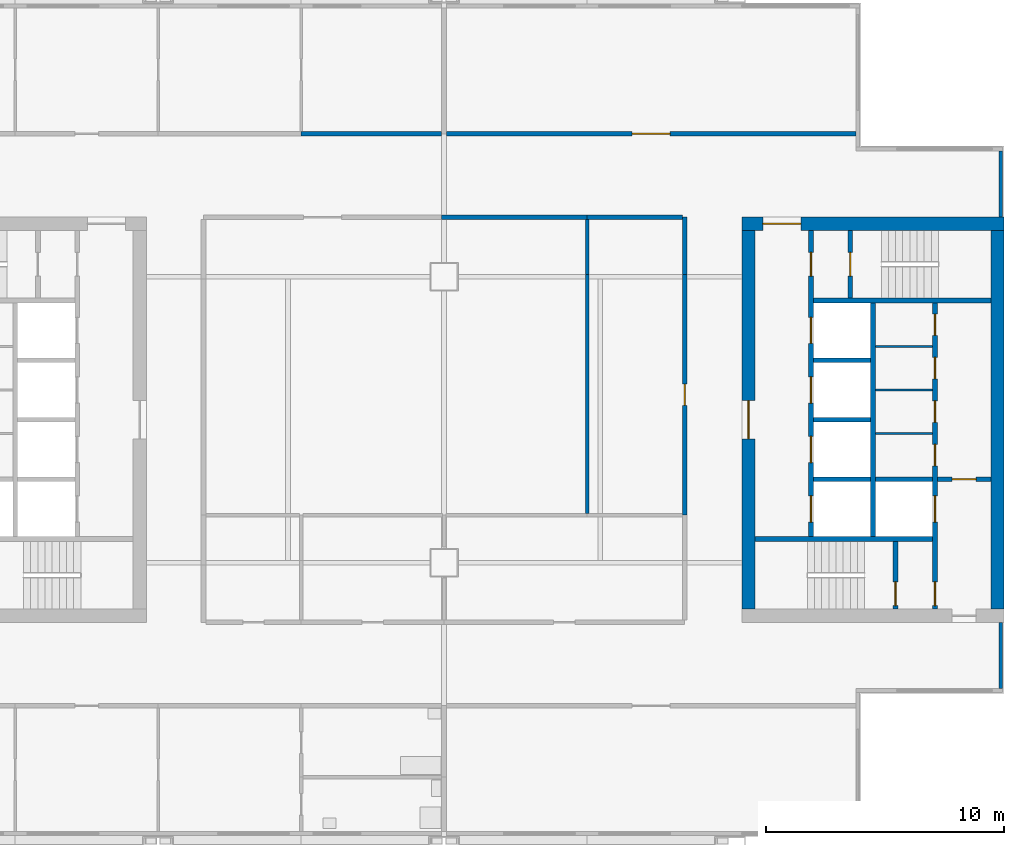
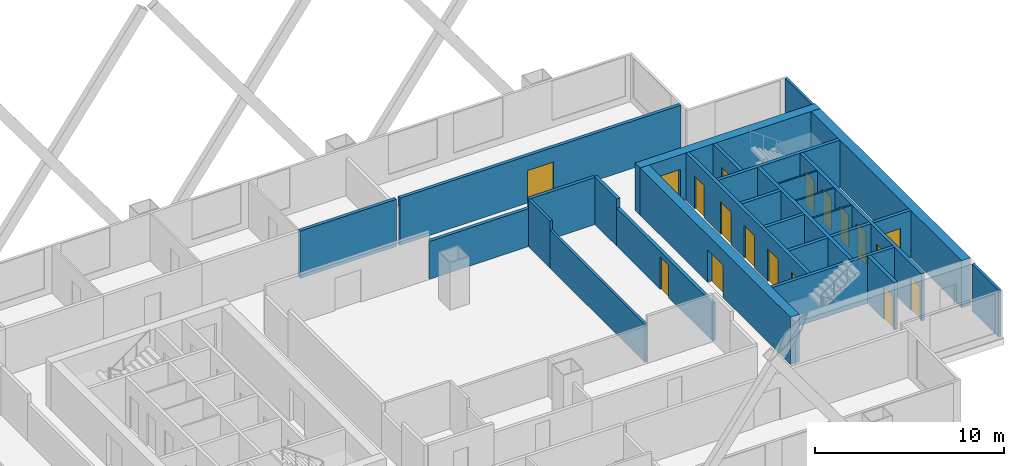
# One storey, part 5 of 8: 28 walls, 18 doors, 18 openings.
"""IFC4 building model written with IfcOpenShell, lengths in metres."""

from ifc_helpers import new_model, si_unit, direction, frame, frame_2d, origin, place, context, subcontext, project, spatial, rectangle, extrude, material, layer, layer_set, type_object, element, fill, save


model = new_model("IFC4")

# Units and contexts
model_context = context("Model", 3, precision=1e-05, world=origin(), true_north=direction((0.0, 1.0)))
body_context = subcontext(model_context, "Body", "Model", "MODEL_VIEW")
ifc_project = project(units=[si_unit("LENGTHUNIT", "METRE"), si_unit("AREAUNIT", "SQUARE_METRE"), si_unit("VOLUMEUNIT", "CUBIC_METRE"), si_unit("PLANEANGLEUNIT", "RADIAN"), si_unit("MASSUNIT", "GRAM", prefix="KILO")], contexts=[model_context])

# Site, building, storey
site_placement = place(None, origin())
site = spatial("IfcSite", under=ifc_project, at=site_placement, CompositionType="ELEMENT")
building_placement = place(site_placement, origin())
building = spatial("IfcBuilding", under=site, at=building_placement, Name="Kitamizu Gate Tower and Museum", CompositionType="ELEMENT")
storey_placement = place(building_placement, frame((0.0, 0.0, 158.25)))
storey = spatial("IfcBuildingStorey", under=building, at=storey_placement, Name="L41", CompositionType="ELEMENT", Elevation=158.25)

# Wall, opening, door
ifc_material_1 = material(Name="Concrete Fc42", Category="concrete")
ifc_layer_1 = layer(ifc_material_1, 0.550048828125)
ifc_layer_set_1 = layer_set([ifc_layer_1], Name="Concrete Fc42")
wall_type_1 = type_object("IfcWallType", Name="Core wall 550", PredefinedType="SHEAR", material=ifc_layer_set_1)
wall_1_placement = place(storey_placement, frame((59.5, 38.22509765625, 0.0), z_axis=(0.0, 0.0, 1.0), x_axis=(-1.0, 0.0, 0.0)))
wall_1 = element("IfcWall", 1, at=wall_1_placement, inside=storey, type_object=wall_type_1, Name="Core wall EN", PredefinedType="SHEAR", context=body_context, shape_type="SweptSolid", body=[
    extrude(rectangle(XDim=11.0, YDim=0.550048828125, at=frame_2d((5.5, 0.0))), origin(), (0.0, 0.0, 1.0), 3.050048828125),
])
opening_1_placement = place(wall_1_placement, frame((8.52490234375, 0.0, 0.0)))
opening_1 = element("IfcOpeningElement", 2, at=opening_1_placement, cuts=wall_1, Name="Opening L41-046", PredefinedType="OPENING", context=body_context, shape_type="SweptSolid", body=[
    extrude(rectangle(XDim=1.60009765625, YDim=2.10009765625, at=frame_2d((0.800048828125, 1.050048828125))), frame((0.0, 0.28515625, 0.0), z_axis=(0.0, -1.0, 0.0), x_axis=(1.0, 0.0, 0.0)), (0.0, 0.0, 1.0), 0.570068359375),
])
ifc_material_2 = material(Name="Timber door set", Category="wood")
door_type_1 = type_object("IfcDoorType", Name="Entrance door 1600", OperationType="DOUBLE_DOOR_SINGLE_SWING", PredefinedType="DOOR", material=ifc_material_2)
door_1_placement = place(opening_1_placement, origin())
door_1 = element("IfcDoor", 3, at=door_1_placement, inside=storey, type_object=door_type_1, Name="Lobby door L41-046", OperationType="DOUBLE_DOOR_SINGLE_SWING", OverallHeight=2.10009765625, OverallWidth=1.60009765625, PredefinedType="DOOR", context=body_context, shape_type="SweptSolid", body=[
    extrude(rectangle(XDim=1.60009765625, YDim=2.10009765625, at=frame_2d((0.800048828125, 1.050048828125))), frame((0.0, 0.02490234375, 0.0), z_axis=(0.0, -1.0, 0.0), x_axis=(1.0, 0.0, 0.0)), (0.0, 0.0, 1.0), 0.050048828125),
])
fill(opening_1, door_1)

# Wall
wall_2_placement = place(storey_placement, frame((59.22509765625, 22.050048828125, 0.0), z_axis=(0.0, 0.0, 1.0), x_axis=(0.0, 1.0, 0.0)))
element("IfcWall", 4, at=wall_2_placement, inside=storey, type_object=wall_type_1, Name="Core wall EOUT", PredefinedType="SHEAR", context=body_context, shape_type="SweptSolid", body=[
    extrude(rectangle(XDim=15.89990234375, YDim=0.550048828125, at=frame_2d((7.949951171875, 0.0))), origin(), (0.0, 0.0, 1.0), 3.050048828125),
])

# Wall, opening, door
wall_3_placement = place(storey_placement, frame((48.77490234375, 22.050048828125, 0.0), z_axis=(0.0, 0.0, 1.0), x_axis=(0.0, 1.0, 0.0)))
wall_3 = element("IfcWall", 5, at=wall_3_placement, inside=storey, type_object=wall_type_1, Name="Core wall EARC", PredefinedType="SHEAR", context=body_context, shape_type="SweptSolid", body=[
    extrude(rectangle(XDim=15.89990234375, YDim=0.550048828125, at=frame_2d((7.949951171875, 0.0))), origin(), (0.0, 0.0, 1.0), 3.050048828125),
])
opening_2_placement = place(wall_3_placement, frame((7.14990234375, 0.0, 0.0)))
opening_2 = element("IfcOpeningElement", 6, at=opening_2_placement, cuts=wall_3, Name="Opening L41-047", PredefinedType="OPENING", context=body_context, shape_type="SweptSolid", body=[
    extrude(rectangle(XDim=1.60009765625, YDim=2.10009765625, at=frame_2d((0.800048828125, 1.050048828125))), frame((0.0, 0.28515625, 0.0), z_axis=(0.0, -1.0, 0.0), x_axis=(1.0, 0.0, 0.0)), (0.0, 0.0, 1.0), 0.570068359375),
])
door_2_placement = place(opening_2_placement, origin())
door_2 = element("IfcDoor", 7, at=door_2_placement, inside=storey, type_object=door_type_1, Name="Lobby door L41-047", OperationType="DOUBLE_DOOR_SINGLE_SWING", OverallHeight=2.10009765625, OverallWidth=1.60009765625, PredefinedType="DOOR", context=body_context, shape_type="SweptSolid", body=[
    extrude(rectangle(XDim=1.60009765625, YDim=2.10009765625, at=frame_2d((0.800048828125, 1.050048828125))), frame((0.0, 0.02490234375, 0.0), z_axis=(0.0, -1.0, 0.0), x_axis=(1.0, 0.0, 0.0)), (0.0, 0.0, 1.0), 0.050048828125),
])
fill(opening_2, door_2)

# Walls
ifc_material_3 = material(Name="Gypsum board on galvanised stud")
ifc_layer_2 = layer(ifc_material_3, 0.10009765625)
ifc_layer_set_2 = layer_set([ifc_layer_2], Name="Gypsum board on galvanised stud")
wall_type_2 = type_object("IfcWallType", Name="Partition 100", PredefinedType="PARTITIONING", material=ifc_layer_set_2)
for number, where, z_axis, x_axis, name in (
    (8, (56.5, 29.425048828125, 0.0), (0.0, 0.0, 1.0), (-1.0, 0.0, 0.0), "Partition EPF1"),
    (9, (56.5, 31.25, 0.0), (0.0, 0.0, 1.0), (-1.0, 0.0, 0.0), "Partition EPF2"),
    (10, (56.5, 33.074951171875, 0.0), (0.0, 0.0, 1.0), (-1.0, 0.0, 0.0), "Partition EPF3"),
):
    element("IfcWall", number, at=place(storey_placement, frame(where, z_axis=z_axis, x_axis=x_axis)), inside=storey, type_object=wall_type_2, Name=name, PredefinedType="PARTITIONING", context=body_context, shape_type="SweptSolid", body=[
        extrude(rectangle(XDim=2.39990234375, YDim=0.10009765625, at=frame_2d((1.199951171875, 0.0))), origin(), (0.0, 0.0, 1.0), 3.050048828125),
    ])
ifc_material_4 = material(Name="Gypsum board on galvanised stud")
ifc_layer_3 = layer(ifc_material_4, 0.14990234375)
ifc_layer_set_3 = layer_set([ifc_layer_3], Name="Gypsum board on galvanised stud")
wall_type_3 = type_object("IfcWallType", Name="Partition 150", PredefinedType="PARTITIONING", material=ifc_layer_set_3)
wall_4_placement = place(storey_placement, frame((42.0, 26.074951171875, 0.0), z_axis=(0.0, 0.0, 1.0), x_axis=(0.0, 1.0, 0.0)))
element("IfcWall", 11, at=wall_4_placement, inside=storey, type_object=wall_type_3, Name="Partition L41-071", PredefinedType="PARTITIONING", context=body_context, shape_type="SweptSolid", body=[
    extrude(rectangle(XDim=10.025146484375, YDim=0.14990234375, at=frame_2d((5.0126953125, 0.0))), origin(), (0.0, 0.0, 1.0), 2.449951171875),
])
wall_5_placement = place(storey_placement, frame((42.0, 36.10009765625, 0.0), z_axis=(0.0, 0.0, 1.0), x_axis=(0.0, 1.0, 0.0)))
element("IfcWall", 12, at=wall_5_placement, inside=storey, type_object=wall_type_3, Name="Partition L41-072", PredefinedType="PARTITIONING", context=body_context, shape_type="SweptSolid", body=[
    extrude(rectangle(XDim=2.2998046875, YDim=0.14990234375, at=frame_2d((1.14990234375, 0.0))), origin(), (0.0, 0.0, 1.0), 3.050048828125),
])
ifc_material_5 = material(Name="Gypsum board on galvanised stud")
ifc_layer_4 = layer(ifc_material_5, 0.199951171875)
ifc_layer_set_4 = layer_set([ifc_layer_4], Name="Gypsum board on galvanised stud")
wall_type_4 = type_object("IfcWallType", Name="Partition 200", PredefinedType="PARTITIONING", material=ifc_layer_set_4)
wall_6_placement = place(storey_placement, frame((30.0, 42.0, 0.0), z_axis=(0.0, 0.0, 1.0), x_axis=(1.0, 0.0, 0.0)))
element("IfcWall", 13, at=wall_6_placement, inside=storey, type_object=wall_type_4, Name="Partition L41-026", PredefinedType="PARTITIONING", context=body_context, shape_type="SweptSolid", body=[
    extrude(rectangle(XDim=5.89990234375, YDim=0.199951171875, at=frame_2d((2.949951171875, 0.0))), origin(), (0.0, 0.0, 1.0), 3.050048828125),
])

# Wall, opening, door
wall_7_placement = place(storey_placement, frame((36.10009765625, 42.0, 0.0), z_axis=(0.0, 0.0, 1.0), x_axis=(1.0, 0.0, 0.0)))
wall_7 = element("IfcWall", 14, at=wall_7_placement, inside=storey, type_object=wall_type_4, Name="Partition L41-048", PredefinedType="PARTITIONING", context=body_context, shape_type="SweptSolid", body=[
    extrude(rectangle(XDim=17.179931640625, YDim=0.199951171875, at=frame_2d((8.58984375, 0.0))), origin(), (0.0, 0.0, 1.0), 3.050048828125),
])
opening_3_placement = place(wall_7_placement, frame((7.7900390625, 0.0, 0.0)))
opening_3 = element("IfcOpeningElement", 15, at=opening_3_placement, cuts=wall_7, Name="Opening L41-021", PredefinedType="OPENING", context=body_context, shape_type="SweptSolid", body=[
    extrude(rectangle(XDim=1.60009765625, YDim=2.10009765625, at=frame_2d((0.800048828125, 1.050048828125))), frame((0.0, 0.10986328125, 0.0), z_axis=(0.0, -1.0, 0.0), x_axis=(1.0, 0.0, 0.0)), (0.0, 0.0, 1.0), 0.219970703125),
])
ifc_material_6 = material(Name="Timber door set", Category="wood")
door_type_2 = type_object("IfcDoorType", Name="Double door 1600", OperationType="DOUBLE_DOOR_SINGLE_SWING", PredefinedType="DOOR", material=ifc_material_6)
door_3_placement = place(opening_3_placement, origin())
door_3 = element("IfcDoor", 16, at=door_3_placement, inside=storey, type_object=door_type_2, Name="Double door L41-021", OperationType="DOUBLE_DOOR_SINGLE_SWING", OverallHeight=2.10009765625, OverallWidth=1.60009765625, PredefinedType="DOOR", context=body_context, shape_type="SweptSolid", body=[
    extrude(rectangle(XDim=1.60009765625, YDim=2.10009765625, at=frame_2d((0.800048828125, 1.050048828125))), frame((0.0, 0.02490234375, 0.0), z_axis=(0.0, -1.0, 0.0), x_axis=(1.0, 0.0, 0.0)), (0.0, 0.0, 1.0), 0.050048828125),
])
fill(opening_3, door_3)

# Wall
wall_8_placement = place(storey_placement, frame((42.0, 38.5, 0.0), z_axis=(0.0, 0.0, 1.0), x_axis=(-1.0, 0.0, 0.0)))
element("IfcWall", 17, at=wall_8_placement, inside=storey, type_object=wall_type_4, Name="Partition L41-056", PredefinedType="PARTITIONING", context=body_context, shape_type="SweptSolid", body=[
    extrude(rectangle(XDim=6.10009765625, YDim=0.199951171875, at=frame_2d((3.050048828125, 0.0))), origin(), (0.0, 0.0, 1.0), 2.449951171875),
])

# Wall, opening, door
wall_9_placement = place(storey_placement, frame((46.10009765625, 26.0, 0.0), z_axis=(0.0, 0.0, 1.0), x_axis=(0.0, 1.0, 0.0)))
wall_9 = element("IfcWall", 18, at=wall_9_placement, inside=storey, type_object=wall_type_4, Name="Partition L41-060", PredefinedType="PARTITIONING", context=body_context, shape_type="SweptSolid", body=[
    extrude(rectangle(XDim=10.10009765625, YDim=0.199951171875, at=frame_2d((5.050048828125, 0.0))), origin(), (0.0, 0.0, 1.0), 2.449951171875),
])
opening_4_placement = place(wall_9_placement, frame((4.60009765625, 0.0, 0.0)))
opening_4 = element("IfcOpeningElement", 19, at=opening_4_placement, cuts=wall_9, Name="Opening L41-026", PredefinedType="OPENING", context=body_context, shape_type="SweptSolid", body=[
    extrude(rectangle(XDim=0.89990234375, YDim=2.10009765625, at=frame_2d((0.449951171875, 1.050048828125))), frame((0.0, 0.10986328125, 0.0), z_axis=(0.0, -1.0, 0.0), x_axis=(1.0, 0.0, 0.0)), (0.0, 0.0, 1.0), 0.219970703125),
])
ifc_material_7 = material(Name="Timber door set", Category="wood")
door_type_3 = type_object("IfcDoorType", Name="Room door 900", OperationType="NOTDEFINED", PredefinedType="DOOR", material=ifc_material_7)
door_4_placement = place(opening_4_placement, origin())
door_4 = element("IfcDoor", 20, at=door_4_placement, inside=storey, type_object=door_type_3, Name="Door L41-026", OperationType="SINGLE_SWING_RIGHT", OverallHeight=2.10009765625, OverallWidth=0.89990234375, PredefinedType="DOOR", context=body_context, shape_type="SweptSolid", body=[
    extrude(rectangle(XDim=0.89990234375, YDim=2.10009765625, at=frame_2d((0.449951171875, 1.050048828125))), frame((0.0, 0.02490234375, 0.0), z_axis=(0.0, -1.0, 0.0), x_axis=(1.0, 0.0, 0.0)), (0.0, 0.0, 1.0), 0.050048828125),
])
fill(opening_4, door_4)

# Walls
wall_10_placement = place(storey_placement, frame((46.10009765625, 36.10009765625, 0.0), z_axis=(0.0, 0.0, 1.0), x_axis=(0.0, 1.0, 0.0)))
element("IfcWall", 21, at=wall_10_placement, inside=storey, type_object=wall_type_4, Name="Partition L41-061", PredefinedType="PARTITIONING", context=body_context, shape_type="SweptSolid", body=[
    extrude(rectangle(XDim=2.39990234375, YDim=0.199951171875, at=frame_2d((1.199951171875, 0.0))), origin(), (0.0, 0.0, 1.0), 3.050048828125),
])
wall_11_placement = place(storey_placement, frame((46.0, 38.5, 0.0), z_axis=(0.0, 0.0, 1.0), x_axis=(-1.0, 0.0, 0.0)))
element("IfcWall", 22, at=wall_11_placement, inside=storey, type_object=wall_type_4, Name="Partition L41-062", PredefinedType="PARTITIONING", context=body_context, shape_type="SweptSolid", body=[
    extrude(rectangle(XDim=4.0, YDim=0.199951171875, at=frame_2d((2.0, 0.0))), origin(), (0.0, 0.0, 1.0), 3.050048828125),
])

# Wall, openings, doors
ifc_material_8 = material(Name="Concrete Fc42", Category="concrete")
ifc_layer_5 = layer(ifc_material_8, 0.199951171875)
ifc_layer_set_5 = layer_set([ifc_layer_5], Name="Concrete Fc42")
wall_type_5 = type_object("IfcWallType", Name="Shaft wall 200", PredefinedType="SOLIDWALL", material=ifc_layer_set_5)
wall_12_placement = place(storey_placement, frame((56.60009765625, 22.050048828125, 0.0), z_axis=(0.0, 0.0, 1.0), x_axis=(0.0, 1.0, 0.0)))
wall_12 = element("IfcWall", 23, at=wall_12_placement, inside=storey, type_object=wall_type_5, Name="Shaft wall EWEST", PredefinedType="SOLIDWALL", context=body_context, shape_type="SweptSolid", body=[
    extrude(rectangle(XDim=12.849853515625, YDim=0.199951171875, at=frame_2d((6.4248046875, 0.0))), origin(), (0.0, 0.0, 1.0), 3.050048828125),
])
opening_5_placement = place(wall_12_placement, frame((3.64990234375, 0.0, 0.0)))
opening_5 = element("IfcOpeningElement", 24, at=opening_5_placement, cuts=wall_12, Name="Opening LD", PredefinedType="OPENING", context=body_context, shape_type="SweptSolid", body=[
    extrude(rectangle(XDim=1.10009765625, YDim=2.10009765625, at=frame_2d((0.550048828125, 1.050048828125))), frame((0.0, 0.10986328125, 0.0), z_axis=(0.0, -1.0, 0.0), x_axis=(1.0, 0.0, 0.0)), (0.0, 0.0, 1.0), 0.219970703125),
])
opening_6_placement = place(wall_12_placement, frame((0.14990234375, 0.0, 0.0)))
opening_6 = element("IfcOpeningElement", 25, at=opening_6_placement, cuts=wall_12, Name="Opening L41-041", PredefinedType="OPENING", context=body_context, shape_type="SweptSolid", body=[
    extrude(rectangle(XDim=1.0, YDim=2.10009765625, at=frame_2d((0.5, 1.050048828125))), frame((0.0, 0.10986328125, 0.0), z_axis=(0.0, -1.0, 0.0), x_axis=(1.0, 0.0, 0.0)), (0.0, 0.0, 1.0), 0.219970703125),
])
opening_7_placement = place(wall_12_placement, frame((6.012451171875, 0.0, 0.0)))
opening_7 = element("IfcOpeningElement", 26, at=opening_7_placement, cuts=wall_12, Name="Opening L41-048", PredefinedType="OPENING", context=body_context, shape_type="SweptSolid", body=[
    extrude(rectangle(XDim=0.89990234375, YDim=2.10009765625, at=frame_2d((0.449951171875, 1.050048828125))), frame((0.0, 0.10986328125, 0.0), z_axis=(0.0, -1.0, 0.0), x_axis=(1.0, 0.0, 0.0)), (0.0, 0.0, 1.0), 0.219970703125),
])
opening_8_placement = place(wall_12_placement, frame((7.83740234375, 0.0, 0.0)))
opening_8 = element("IfcOpeningElement", 27, at=opening_8_placement, cuts=wall_12, Name="Opening L41-049", PredefinedType="OPENING", context=body_context, shape_type="SweptSolid", body=[
    extrude(rectangle(XDim=0.89990234375, YDim=2.10009765625, at=frame_2d((0.449951171875, 1.050048828125))), frame((0.0, 0.10986328125, 0.0), z_axis=(0.0, -1.0, 0.0), x_axis=(1.0, 0.0, 0.0)), (0.0, 0.0, 1.0), 0.219970703125),
])
opening_9_placement = place(wall_12_placement, frame((9.66259765625, 0.0, 0.0)))
opening_9 = element("IfcOpeningElement", 28, at=opening_9_placement, cuts=wall_12, Name="Opening L41-050", PredefinedType="OPENING", context=body_context, shape_type="SweptSolid", body=[
    extrude(rectangle(XDim=0.89990234375, YDim=2.10009765625, at=frame_2d((0.449951171875, 1.050048828125))), frame((0.0, 0.10986328125, 0.0), z_axis=(0.0, -1.0, 0.0), x_axis=(1.0, 0.0, 0.0)), (0.0, 0.0, 1.0), 0.219970703125),
])
opening_10_placement = place(wall_12_placement, frame((11.487548828125, 0.0, 0.0)))
opening_10 = element("IfcOpeningElement", 29, at=opening_10_placement, cuts=wall_12, Name="Opening L41-051", PredefinedType="OPENING", context=body_context, shape_type="SweptSolid", body=[
    extrude(rectangle(XDim=0.89990234375, YDim=2.10009765625, at=frame_2d((0.449951171875, 1.050048828125))), frame((0.0, 0.10986328125, 0.0), z_axis=(0.0, -1.0, 0.0), x_axis=(1.0, 0.0, 0.0)), (0.0, 0.0, 1.0), 0.219970703125),
])
ifc_material_9 = material(Name="Hollow metal door set")
door_type_4 = type_object("IfcDoorType", Name="Fire door 1000", OperationType="NOTDEFINED", PredefinedType="DOOR", material=ifc_material_9)
door_5_placement = place(opening_6_placement, origin())
door_5 = element("IfcDoor", 30, at=door_5_placement, inside=storey, type_object=door_type_4, Name="Stair lobby door L41-041", OperationType="SINGLE_SWING_RIGHT", OverallHeight=2.10009765625, OverallWidth=1.0, PredefinedType="DOOR", context=body_context, shape_type="SweptSolid", body=[
    extrude(rectangle(XDim=1.0, YDim=2.10009765625, at=frame_2d((0.5, 1.050048828125))), frame((0.0, 0.02490234375, 0.0), z_axis=(0.0, -1.0, 0.0), x_axis=(1.0, 0.0, 0.0)), (0.0, 0.0, 1.0), 0.050048828125),
])
fill(opening_6, door_5)
ifc_material_10 = material(Name="Hollow metal door set")
door_type_5 = type_object("IfcDoorType", Name="Landing door 1100", OperationType="SLIDING_TO_LEFT", PredefinedType="DOOR", material=ifc_material_10)
door_6_placement = place(opening_5_placement, origin())
door_6 = element("IfcDoor", 31, at=door_6_placement, inside=storey, type_object=door_type_5, Name="Landing door EFF1", OperationType="SLIDING_TO_LEFT", OverallHeight=2.10009765625, OverallWidth=1.10009765625, PredefinedType="DOOR", context=body_context, shape_type="SweptSolid", body=[
    extrude(rectangle(XDim=1.10009765625, YDim=2.10009765625, at=frame_2d((0.550048828125, 1.050048828125))), frame((0.0, 0.02490234375, 0.0), z_axis=(0.0, -1.0, 0.0), x_axis=(1.0, 0.0, 0.0)), (0.0, 0.0, 1.0), 0.050048828125),
])
fill(opening_5, door_6)
ifc_material_11 = material(Name="Timber door set", Category="wood")
door_type_6 = type_object("IfcDoorType", Name="Service door 900", OperationType="NOTDEFINED", PredefinedType="DOOR", material=ifc_material_11)
door_7_placement = place(opening_7_placement, origin())
door_7 = element("IfcDoor", 32, at=door_7_placement, inside=storey, type_object=door_type_6, Name="Service door L41-048", OperationType="SINGLE_SWING_LEFT", OverallHeight=2.10009765625, OverallWidth=0.89990234375, PredefinedType="DOOR", context=body_context, shape_type="SweptSolid", body=[
    extrude(rectangle(XDim=0.89990234375, YDim=2.10009765625, at=frame_2d((0.449951171875, 1.050048828125))), frame((0.0, 0.02490234375, 0.0), z_axis=(0.0, -1.0, 0.0), x_axis=(1.0, 0.0, 0.0)), (0.0, 0.0, 1.0), 0.050048828125),
])
fill(opening_7, door_7)
door_8_placement = place(opening_8_placement, origin())
door_8 = element("IfcDoor", 33, at=door_8_placement, inside=storey, type_object=door_type_6, Name="Service door L41-049", OperationType="SINGLE_SWING_RIGHT", OverallHeight=2.10009765625, OverallWidth=0.89990234375, PredefinedType="DOOR", context=body_context, shape_type="SweptSolid", body=[
    extrude(rectangle(XDim=0.89990234375, YDim=2.10009765625, at=frame_2d((0.449951171875, 1.050048828125))), frame((0.0, 0.02490234375, 0.0), z_axis=(0.0, -1.0, 0.0), x_axis=(1.0, 0.0, 0.0)), (0.0, 0.0, 1.0), 0.050048828125),
])
fill(opening_8, door_8)
door_9_placement = place(opening_9_placement, origin())
door_9 = element("IfcDoor", 34, at=door_9_placement, inside=storey, type_object=door_type_6, Name="Service door L41-050", OperationType="SINGLE_SWING_LEFT", OverallHeight=2.10009765625, OverallWidth=0.89990234375, PredefinedType="DOOR", context=body_context, shape_type="SweptSolid", body=[
    extrude(rectangle(XDim=0.89990234375, YDim=2.10009765625, at=frame_2d((0.449951171875, 1.050048828125))), frame((0.0, 0.02490234375, 0.0), z_axis=(0.0, -1.0, 0.0), x_axis=(1.0, 0.0, 0.0)), (0.0, 0.0, 1.0), 0.050048828125),
])
fill(opening_9, door_9)
door_10_placement = place(opening_10_placement, origin())
door_10 = element("IfcDoor", 35, at=door_10_placement, inside=storey, type_object=door_type_6, Name="Service door L41-051", OperationType="SINGLE_SWING_RIGHT", OverallHeight=2.10009765625, OverallWidth=0.89990234375, PredefinedType="DOOR", context=body_context, shape_type="SweptSolid", body=[
    extrude(rectangle(XDim=0.89990234375, YDim=2.10009765625, at=frame_2d((0.449951171875, 1.050048828125))), frame((0.0, 0.02490234375, 0.0), z_axis=(0.0, -1.0, 0.0), x_axis=(1.0, 0.0, 0.0)), (0.0, 0.0, 1.0), 0.050048828125),
])
fill(opening_10, door_10)

wall_13_placement = place(storey_placement, frame((51.39990234375, 25.10009765625, 0.0), z_axis=(0.0, 0.0, 1.0), x_axis=(0.0, 1.0, 0.0)))
wall_13 = element("IfcWall", 36, at=wall_13_placement, inside=storey, type_object=wall_type_5, Name="Shaft wall EEAST", PredefinedType="SOLIDWALL", context=body_context, shape_type="SweptSolid", body=[
    extrude(rectangle(XDim=12.849853515625, YDim=0.199951171875, at=frame_2d((6.4248046875, 0.0))), origin(), (0.0, 0.0, 1.0), 3.050048828125),
])
opening_11_placement = place(wall_13_placement, frame((0.60009765625, 0.0, 0.0)))
opening_11 = element("IfcOpeningElement", 37, at=opening_11_placement, cuts=wall_13, Name="Opening LD", PredefinedType="OPENING", context=body_context, shape_type="SweptSolid", body=[
    extrude(rectangle(XDim=1.10009765625, YDim=2.10009765625, at=frame_2d((0.550048828125, 1.050048828125))), frame((0.0, 0.10986328125, 0.0), z_axis=(0.0, -1.0, 0.0), x_axis=(1.0, 0.0, 0.0)), (0.0, 0.0, 1.0), 0.219970703125),
])
opening_12_placement = place(wall_13_placement, frame((3.10009765625, 0.0, 0.0)))
opening_12 = element("IfcOpeningElement", 38, at=opening_12_placement, cuts=wall_13, Name="Opening LD", PredefinedType="OPENING", context=body_context, shape_type="SweptSolid", body=[
    extrude(rectangle(XDim=1.10009765625, YDim=2.10009765625, at=frame_2d((0.550048828125, 1.050048828125))), frame((0.0, 0.10986328125, 0.0), z_axis=(0.0, -1.0, 0.0), x_axis=(1.0, 0.0, 0.0)), (0.0, 0.0, 1.0), 0.219970703125),
])
opening_13_placement = place(wall_13_placement, frame((5.60009765625, 0.0, 0.0)))
opening_13 = element("IfcOpeningElement", 39, at=opening_13_placement, cuts=wall_13, Name="Opening LD", PredefinedType="OPENING", context=body_context, shape_type="SweptSolid", body=[
    extrude(rectangle(XDim=1.10009765625, YDim=2.10009765625, at=frame_2d((0.550048828125, 1.050048828125))), frame((0.0, 0.10986328125, 0.0), z_axis=(0.0, -1.0, 0.0), x_axis=(1.0, 0.0, 0.0)), (0.0, 0.0, 1.0), 0.219970703125),
])
opening_14_placement = place(wall_13_placement, frame((8.10009765625, 0.0, 0.0)))
opening_14 = element("IfcOpeningElement", 40, at=opening_14_placement, cuts=wall_13, Name="Opening LD", PredefinedType="OPENING", context=body_context, shape_type="SweptSolid", body=[
    extrude(rectangle(XDim=1.10009765625, YDim=2.10009765625, at=frame_2d((0.550048828125, 1.050048828125))), frame((0.0, 0.10986328125, 0.0), z_axis=(0.0, -1.0, 0.0), x_axis=(1.0, 0.0, 0.0)), (0.0, 0.0, 1.0), 0.219970703125),
])
opening_15_placement = place(wall_13_placement, frame((10.925048828125, 0.0, 0.0)))
opening_15 = element("IfcOpeningElement", 41, at=opening_15_placement, cuts=wall_13, Name="Opening L41-042", PredefinedType="OPENING", context=body_context, shape_type="SweptSolid", body=[
    extrude(rectangle(XDim=1.0, YDim=2.10009765625, at=frame_2d((0.5, 1.050048828125))), frame((0.0, 0.10986328125, 0.0), z_axis=(0.0, -1.0, 0.0), x_axis=(1.0, 0.0, 0.0)), (0.0, 0.0, 1.0), 0.219970703125),
])
door_11_placement = place(opening_15_placement, frame((1.0, 0.0, 0.0), x_axis=(-1.0, 0.0, 0.0)))
door_11 = element("IfcDoor", 42, at=door_11_placement, inside=storey, type_object=door_type_4, Name="Stair lobby door L41-042", OperationType="SINGLE_SWING_RIGHT", OverallHeight=2.10009765625, OverallWidth=1.0, PredefinedType="DOOR", context=body_context, shape_type="SweptSolid", body=[
    extrude(rectangle(XDim=1.0, YDim=2.10009765625, at=frame_2d((0.5, 1.050048828125))), frame((0.0, 0.02490234375, 0.0), z_axis=(0.0, -1.0, 0.0), x_axis=(1.0, 0.0, 0.0)), (0.0, 0.0, 1.0), 0.050048828125),
])
fill(opening_15, door_11)
door_12_placement = place(opening_11_placement, origin())
door_12 = element("IfcDoor", 43, at=door_12_placement, inside=storey, type_object=door_type_5, Name="Landing door ESV1", OperationType="SLIDING_TO_LEFT", OverallHeight=2.10009765625, OverallWidth=1.10009765625, PredefinedType="DOOR", context=body_context, shape_type="SweptSolid", body=[
    extrude(rectangle(XDim=1.10009765625, YDim=2.10009765625, at=frame_2d((0.550048828125, 1.050048828125))), frame((0.0, 0.02490234375, 0.0), z_axis=(0.0, -1.0, 0.0), x_axis=(1.0, 0.0, 0.0)), (0.0, 0.0, 1.0), 0.050048828125),
])
fill(opening_11, door_12)
door_13_placement = place(opening_12_placement, origin())
door_13 = element("IfcDoor", 44, at=door_13_placement, inside=storey, type_object=door_type_5, Name="Landing door EH1", OperationType="SLIDING_TO_LEFT", OverallHeight=2.10009765625, OverallWidth=1.10009765625, PredefinedType="DOOR", context=body_context, shape_type="SweptSolid", body=[
    extrude(rectangle(XDim=1.10009765625, YDim=2.10009765625, at=frame_2d((0.550048828125, 1.050048828125))), frame((0.0, 0.02490234375, 0.0), z_axis=(0.0, -1.0, 0.0), x_axis=(1.0, 0.0, 0.0)), (0.0, 0.0, 1.0), 0.050048828125),
])
fill(opening_12, door_13)
door_14_placement = place(opening_13_placement, origin())
door_14 = element("IfcDoor", 45, at=door_14_placement, inside=storey, type_object=door_type_5, Name="Landing door EH2", OperationType="SLIDING_TO_LEFT", OverallHeight=2.10009765625, OverallWidth=1.10009765625, PredefinedType="DOOR", context=body_context, shape_type="SweptSolid", body=[
    extrude(rectangle(XDim=1.10009765625, YDim=2.10009765625, at=frame_2d((0.550048828125, 1.050048828125))), frame((0.0, 0.02490234375, 0.0), z_axis=(0.0, -1.0, 0.0), x_axis=(1.0, 0.0, 0.0)), (0.0, 0.0, 1.0), 0.050048828125),
])
fill(opening_13, door_14)
door_15_placement = place(opening_14_placement, origin())
door_15 = element("IfcDoor", 46, at=door_15_placement, inside=storey, type_object=door_type_5, Name="Landing door EH3", OperationType="SLIDING_TO_LEFT", OverallHeight=2.10009765625, OverallWidth=1.10009765625, PredefinedType="DOOR", context=body_context, shape_type="SweptSolid", body=[
    extrude(rectangle(XDim=1.10009765625, YDim=2.10009765625, at=frame_2d((0.550048828125, 1.050048828125))), frame((0.0, 0.02490234375, 0.0), z_axis=(0.0, -1.0, 0.0), x_axis=(1.0, 0.0, 0.0)), (0.0, 0.0, 1.0), 0.050048828125),
])
fill(opening_14, door_15)

# Walls
wall_14_placement = place(storey_placement, frame((54.0, 25.10009765625, 0.0), z_axis=(0.0, 0.0, 1.0), x_axis=(0.0, 1.0, 0.0)))
element("IfcWall", 47, at=wall_14_placement, inside=storey, type_object=wall_type_5, Name="Shaft wall EMID", PredefinedType="SOLIDWALL", context=body_context, shape_type="SweptSolid", body=[
    extrude(rectangle(XDim=9.7998046875, YDim=0.199951171875, at=frame_2d((4.89990234375, 0.0))), origin(), (0.0, 0.0, 1.0), 3.050048828125),
])
for number, where, z_axis, x_axis, name in (
    (48, (56.5, 25.0, 0.0), (0.0, 0.0, 1.0), (-1.0, 0.0, 0.0), "Shaft wall ESB"),
    (49, (58.949951171875, 35.0, 0.0), (0.0, 0.0, 1.0), (-1.0, 0.0, 0.0), "Shaft wall ENB"),
):
    element("IfcWall", number, at=place(storey_placement, frame(where, z_axis=z_axis, x_axis=x_axis)), inside=storey, type_object=wall_type_5, Name=name, PredefinedType="SOLIDWALL", context=body_context, shape_type="SweptSolid", body=[
        extrude(rectangle(XDim=7.449951171875, YDim=0.199951171875, at=frame_2d((3.72509765625, 0.0))), origin(), (0.0, 0.0, 1.0), 3.050048828125),
    ])

# Wall, opening, door
wall_15_placement = place(storey_placement, frame((58.949951171875, 27.5, 0.0), z_axis=(0.0, 0.0, 1.0), x_axis=(-1.0, 0.0, 0.0)))
wall_15 = element("IfcWall", 50, at=wall_15_placement, inside=storey, type_object=wall_type_5, Name="Shaft wall EFFN", PredefinedType="SOLIDWALL", context=body_context, shape_type="SweptSolid", body=[
    extrude(rectangle(XDim=2.25, YDim=0.199951171875, at=frame_2d((1.125, 0.0))), origin(), (0.0, 0.0, 1.0), 3.050048828125),
])
opening_16_placement = place(wall_15_placement, frame((0.625, 0.0, 0.0)))
opening_16 = element("IfcOpeningElement", 51, at=opening_16_placement, cuts=wall_15, Name="Opening L41-044", PredefinedType="OPENING", context=body_context, shape_type="SweptSolid", body=[
    extrude(rectangle(XDim=1.0, YDim=2.10009765625, at=frame_2d((0.5, 1.050048828125))), frame((0.0, 0.10986328125, 0.0), z_axis=(0.0, -1.0, 0.0), x_axis=(1.0, 0.0, 0.0)), (0.0, 0.0, 1.0), 0.219970703125),
])
door_16_placement = place(opening_16_placement, origin())
door_16 = element("IfcDoor", 52, at=door_16_placement, inside=storey, type_object=door_type_4, Name="Fire-fighting lobby door L41-044", OperationType="SINGLE_SWING_LEFT", OverallHeight=2.10009765625, OverallWidth=1.0, PredefinedType="DOOR", context=body_context, shape_type="SweptSolid", body=[
    extrude(rectangle(XDim=1.0, YDim=2.10009765625, at=frame_2d((0.5, 1.050048828125))), frame((0.0, 0.02490234375, 0.0), z_axis=(0.0, -1.0, 0.0), x_axis=(1.0, 0.0, 0.0)), (0.0, 0.0, 1.0), 0.050048828125),
])
fill(opening_16, door_16)

wall_16_placement = place(storey_placement, frame((54.949951171875, 22.050048828125, 0.0), z_axis=(0.0, 0.0, 1.0), x_axis=(0.0, 1.0, 0.0)))
wall_16 = element("IfcWall", 53, at=wall_16_placement, inside=storey, type_object=wall_type_5, Name="Shaft wall ESZ", PredefinedType="SOLIDWALL", context=body_context, shape_type="SweptSolid", body=[
    extrude(rectangle(XDim=2.849853515625, YDim=0.199951171875, at=frame_2d((1.4248046875, 0.0))), origin(), (0.0, 0.0, 1.0), 3.050048828125),
])
opening_17_placement = place(wall_16_placement, frame((0.14990234375, 0.0, 0.0)))
opening_17 = element("IfcOpeningElement", 54, at=opening_17_placement, cuts=wall_16, Name="Opening L41-040", PredefinedType="OPENING", context=body_context, shape_type="SweptSolid", body=[
    extrude(rectangle(XDim=1.0, YDim=2.10009765625, at=frame_2d((0.5, 1.050048828125))), frame((0.0, 0.10986328125, 0.0), z_axis=(0.0, -1.0, 0.0), x_axis=(1.0, 0.0, 0.0)), (0.0, 0.0, 1.0), 0.219970703125),
])
door_17_placement = place(opening_17_placement, origin())
door_17 = element("IfcDoor", 55, at=door_17_placement, inside=storey, type_object=door_type_4, Name="Stair door L41-040", OperationType="SINGLE_SWING_RIGHT", OverallHeight=2.10009765625, OverallWidth=1.0, PredefinedType="DOOR", context=body_context, shape_type="SweptSolid", body=[
    extrude(rectangle(XDim=1.0, YDim=2.10009765625, at=frame_2d((0.5, 1.050048828125))), frame((0.0, 0.02490234375, 0.0), z_axis=(0.0, -1.0, 0.0), x_axis=(1.0, 0.0, 0.0)), (0.0, 0.0, 1.0), 0.050048828125),
])
fill(opening_17, door_17)

wall_17_placement = place(storey_placement, frame((53.050048828125, 35.10009765625, 0.0), z_axis=(0.0, 0.0, 1.0), x_axis=(0.0, 1.0, 0.0)))
wall_17 = element("IfcWall", 56, at=wall_17_placement, inside=storey, type_object=wall_type_5, Name="Shaft wall ENZ", PredefinedType="SOLIDWALL", context=body_context, shape_type="SweptSolid", body=[
    extrude(rectangle(XDim=2.849853515625, YDim=0.199951171875, at=frame_2d((1.4248046875, 0.0))), origin(), (0.0, 0.0, 1.0), 3.050048828125),
])
opening_18_placement = place(wall_17_placement, frame((0.925048828125, 0.0, 0.0)))
opening_18 = element("IfcOpeningElement", 57, at=opening_18_placement, cuts=wall_17, Name="Opening L41-043", PredefinedType="OPENING", context=body_context, shape_type="SweptSolid", body=[
    extrude(rectangle(XDim=1.0, YDim=2.10009765625, at=frame_2d((0.5, 1.050048828125))), frame((0.0, 0.10986328125, 0.0), z_axis=(0.0, -1.0, 0.0), x_axis=(1.0, 0.0, 0.0)), (0.0, 0.0, 1.0), 0.219970703125),
])
door_18_placement = place(opening_18_placement, frame((1.0, 0.0, 0.0), x_axis=(-1.0, 0.0, 0.0)))
door_18 = element("IfcDoor", 58, at=door_18_placement, inside=storey, type_object=door_type_4, Name="Stair door L41-043", OperationType="SINGLE_SWING_LEFT", OverallHeight=2.10009765625, OverallWidth=1.0, PredefinedType="DOOR", context=body_context, shape_type="SweptSolid", body=[
    extrude(rectangle(XDim=1.0, YDim=2.10009765625, at=frame_2d((0.5, 1.050048828125))), frame((0.0, 0.02490234375, 0.0), z_axis=(0.0, -1.0, 0.0), x_axis=(1.0, 0.0, 0.0)), (0.0, 0.0, 1.0), 0.050048828125),
])
fill(opening_18, door_18)

# Walls
for number, where, z_axis, x_axis, name in (
    (59, (56.5, 27.5, 0.0), (0.0, 0.0, 1.0), (-1.0, 0.0, 0.0), "Shaft wall EDVW0"),
    (60, (53.89990234375, 27.5, 0.0), (0.0, 0.0, 1.0), (-1.0, 0.0, 0.0), "Shaft wall EDVE0"),
    (61, (53.89990234375, 30.0, 0.0), (0.0, 0.0, 1.0), (-1.0, 0.0, 0.0), "Shaft wall EDVE1"),
    (62, (53.89990234375, 32.5, 0.0), (0.0, 0.0, 1.0), (-1.0, 0.0, 0.0), "Shaft wall EDVE2"),
):
    element("IfcWall", number, at=place(storey_placement, frame(where, z_axis=z_axis, x_axis=x_axis)), inside=storey, type_object=wall_type_5, Name=name, PredefinedType="SOLIDWALL", context=body_context, shape_type="SweptSolid", body=[
        extrude(rectangle(XDim=2.39990234375, YDim=0.199951171875, at=frame_2d((1.199951171875, 0.0))), origin(), (0.0, 0.0, 1.0), 3.050048828125),
    ])
ifc_material_12 = material(Name="Bronze anodised aluminium frame with insulated spandrel and tinted glass", Category="aluminium")
ifc_layer_6 = layer(ifc_material_12, 0.14990234375)
ifc_layer_set_6 = layer_set([ifc_layer_6], Name="Bronze anodised aluminium frame with insulated spandrel and tinted glass")
wall_type_6 = type_object("IfcWallType", Name="WINDOW WALL 150 BRONZE FRAME EI 30", PredefinedType="ELEMENTEDWALL", material=ifc_layer_set_6)
for number, where, z_axis, x_axis, name in (
    (63, (59.364990234375, 18.7099609375, 0.0), (0.0, 0.0, 1.0), (0.0, 1.0, 0.0), "Window wall east L41"),
    (64, (59.364990234375, 38.5, 0.0), (0.0, 0.0, 1.0), (0.0, 1.0, 0.0), "Window wall east L41"),
):
    element("IfcWall", number, at=place(storey_placement, frame(where, z_axis=z_axis, x_axis=x_axis)), inside=storey, type_object=wall_type_6, Name=name, PredefinedType="ELEMENTEDWALL", context=body_context, shape_type="SweptSolid", body=[
        extrude(rectangle(XDim=2.7900390625, YDim=0.14990234375, at=frame_2d((1.39501953125, 0.0))), origin(), (0.0, 0.0, 1.0), 3.050048828125),
    ])

save(model, "model.ifc")
